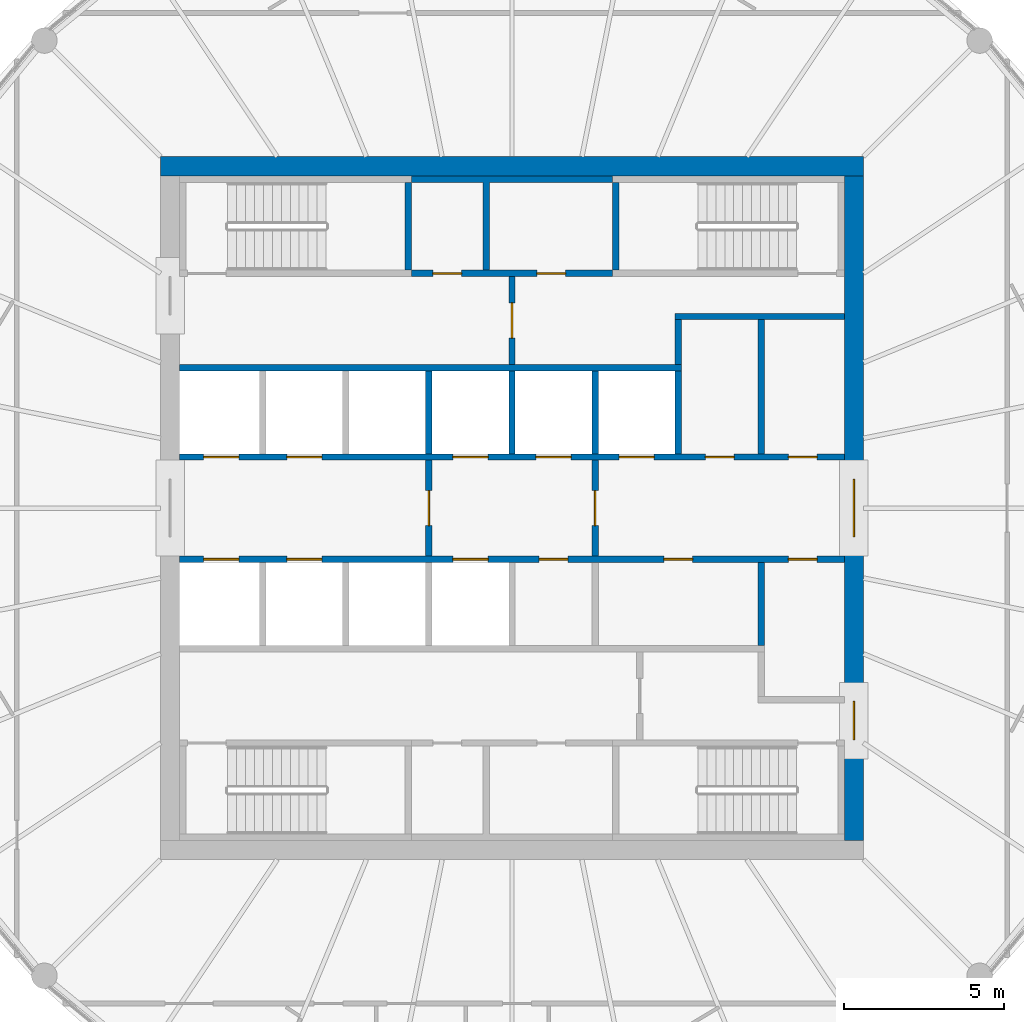
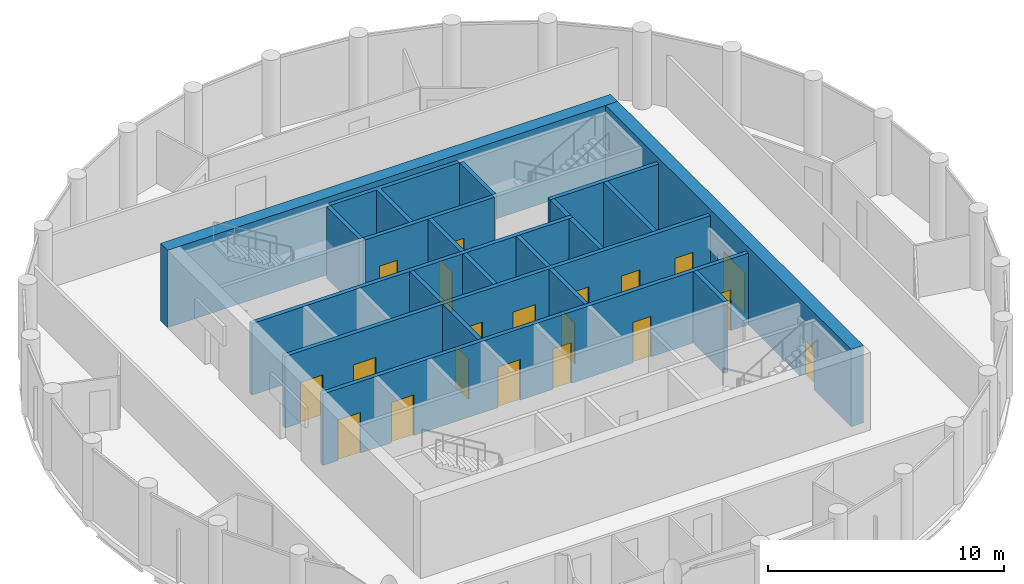
# One storey, part 5 of 7: 20 doors, 20 walls, 20 openings.
"""IFC4 building model written with IfcOpenShell, lengths in metres."""

import ifcopenshell
import ifcopenshell.guid

model = None  # the IFC model being written
_history = None  # IfcOwnerHistory: only IFC2X3 demands one
_inside = {}  # id of a spatial element -> (the spatial element, [elements in it])
_under = {}  # id of a project, library or spatial element -> (it, [spatial elements below it])
_declared = {}  # id of a project -> (the project, [libraries it declares])
_typed = {}  # id of a type object -> (the type object, [elements of that type])
_made_of = {}  # id of a material, layer set ... -> (it, [elements and type objects made of it])


def new_model(schema):
    """Start an empty IFC model of exactly this schema.

    Asked for "IFC4X3", IfcOpenShell would pick the latest addendum, in which some entities
    have other attributes; the version numbers below select the first issue.
    IFC2X3 requires an IfcOwnerHistory on every rooted entity: one is made here for all.
    """
    global model, _history
    if schema == "IFC4X3":
        model = ifcopenshell.file(schema_version=(4, 3, 0, 0))
    else:
        model = ifcopenshell.file(schema=schema)
    _inside.clear()
    _under.clear()
    _declared.clear()
    _typed.clear()
    _made_of.clear()
    _history = None
    if model.schema == "IFC2X3":
        org = make("IfcOrganization", Name="unknown")
        user = make(
            "IfcPersonAndOrganization",
            ThePerson=make("IfcPerson", FamilyName="unknown"),
            TheOrganization=org,
        )
        app = make(
            "IfcApplication",
            ApplicationDeveloper=org,
            Version="unknown",
            ApplicationFullName="unknown",
            ApplicationIdentifier="unknown",
        )
        _history = make(
            "IfcOwnerHistory",
            OwningUser=user,
            OwningApplication=app,
            ChangeAction="ADDED",
            CreationDate=0,
        )
    return model


def make(cls, **values):
    """One entity of the class cls with the attributes given. An attribute that is None is left unset."""
    return model.create_entity(
        cls, **{name: value for name, value in values.items() if value is not None}
    )


def rooted(cls, **values):
    """An entity with a GlobalId (a new one), such as an element, a storey or a relation."""
    return make(cls, GlobalId=ifcopenshell.guid.new(), OwnerHistory=_history, **values)


def si_unit(unit_type, name, prefix=None):
    """IfcSIUnit, for example si_unit("LENGTHUNIT", "METRE", prefix="MILLI")."""
    return make("IfcSIUnit", UnitType=unit_type, Prefix=prefix, Name=name)


def assignment(units):
    """IfcUnitAssignment: the units of a project."""
    return None if units is None else make("IfcUnitAssignment", Units=units)


def point(xyz):
    """IfcCartesianPoint."""
    return None if xyz is None else make("IfcCartesianPoint", Coordinates=xyz)


def direction(xyz):
    """IfcDirection."""
    return None if xyz is None else make("IfcDirection", DirectionRatios=xyz)


def frame(location, z_axis=None, x_axis=None):
    """IfcAxis2Placement3D, a coordinate frame: its origin and axes. An axis left out is left unset."""
    return make(
        "IfcAxis2Placement3D",
        Location=point(location),
        Axis=direction(z_axis),
        RefDirection=direction(x_axis),
    )


def frame_2d(location, x_axis=None):
    """IfcAxis2Placement2D, a coordinate frame in the plane: its origin and x axis."""
    return make(
        "IfcAxis2Placement2D", Location=point(location), RefDirection=direction(x_axis)
    )


def origin():
    """The frame at (0, 0, 0) with its axes left unset."""
    return frame((0.0, 0.0, 0.0))


def place(relative_to, where):
    """IfcLocalPlacement: puts the frame where relative to a parent placement (None: the world)."""
    return make(
        "IfcLocalPlacement", PlacementRelTo=relative_to, RelativePlacement=where
    )


def context(
    kind, dimensions, precision=None, world=None, true_north=None, identifier=None
):
    """IfcGeometricRepresentationContext, for example the 3D "Model" context."""
    return make(
        "IfcGeometricRepresentationContext",
        ContextIdentifier=identifier,
        ContextType=kind,
        CoordinateSpaceDimension=dimensions,
        Precision=precision,
        WorldCoordinateSystem=world,
        TrueNorth=true_north,
    )


def subcontext(parent, identifier, kind, view, scale=None):
    """IfcGeometricRepresentationSubContext, for example "Body" below "Model"."""
    return make(
        "IfcGeometricRepresentationSubContext",
        ContextIdentifier=identifier,
        ContextType=kind,
        ParentContext=parent,
        TargetScale=scale,
        TargetView=view,
    )


def project(units=None, contexts=None):
    """IfcProject with its units and contexts."""
    return rooted(
        "IfcProject",
        Name="project",
        RepresentationContexts=contexts,
        UnitsInContext=assignment(units),
    )


def spatial(cls, under=None, at=None, **own):
    """A site, building, storey or space (cls), placed at a placement, below another one or the project."""
    s = rooted(cls, ObjectPlacement=at, **own)
    if under is not None:
        _under.setdefault(under.id(), (under, []))[1].append(s)
    return s


def polyline(points):
    """IfcPolyline through the points."""
    return make("IfcPolyline", Points=[point(p) for p in points])


def profile(cls, at=None, kind="AREA", **sizes):
    """A parametric profile (cls). Its sizes go by their IFC names, for example OverallWidth=200.0."""
    return make(cls, ProfileType=kind, Position=at, **sizes)


def rectangle(**sizes):
    """IfcRectangleProfileDef."""
    return profile("IfcRectangleProfileDef", **sizes)


def outline(outer, holes=None, kind="AREA"):
    """IfcArbitraryClosedProfileDef: a profile drawn as a closed curve; with holes, ...WithVoids."""
    if holes is None:
        return make("IfcArbitraryClosedProfileDef", ProfileType=kind, OuterCurve=outer)
    return make(
        "IfcArbitraryProfileDefWithVoids",
        ProfileType=kind,
        OuterCurve=outer,
        InnerCurves=holes,
    )


def extrude(swept, where, along, depth):
    """IfcExtrudedAreaSolid: the profile swept, set in the frame where, extruded along a direction by depth."""
    return make(
        "IfcExtrudedAreaSolid",
        SweptArea=swept,
        Position=where,
        ExtrudedDirection=direction(along),
        Depth=depth,
    )


def shape(context_of_items, identifier, shape_type, items):
    """IfcShapeRepresentation: the items that make up one representation, for example the "Body"."""
    return make(
        "IfcShapeRepresentation",
        ContextOfItems=context_of_items,
        RepresentationIdentifier=identifier,
        RepresentationType=shape_type,
        Items=items,
    )


def material(Name=None, Category=None):
    """IfcMaterial."""
    return make("IfcMaterial", Name=Name, Category=Category)


def layer(
    of_material, thickness, ventilated=None, Name=None, Category=None, Priority=None
):
    """IfcMaterialLayer: one layer of a wall or slab, of a material (None: an air gap)."""
    return make(
        "IfcMaterialLayer",
        Material=of_material,
        LayerThickness=thickness,
        IsVentilated=ventilated,
        Name=Name,
        Category=Category,
        Priority=Priority,
    )


def layer_set(layers, Name=None):
    """IfcMaterialLayerSet."""
    return make("IfcMaterialLayerSet", MaterialLayers=layers, LayerSetName=Name)


def made_of(thing, what):
    """Note that an element or type object is made of a material, layer set ...; save() writes the relation."""
    if what is not None:
        _made_of.setdefault(what.id(), (what, []))[1].append(thing)
    return thing


def type_object(cls, material=None, **own):
    """A type object (cls), such as IfcWallType, which elements share."""
    return made_of(rooted(cls, **own), material)


def element(
    cls,
    number,
    at=None,
    inside=None,
    cuts=None,
    type_object=None,
    material=None,
    context=None,
    identifier="Body",
    shape_type=None,
    held_by="IfcProductDefinitionShape",
    body=None,
    shapes=None,
    **own,
):
    """One element of the class cls, such as IfcWall. Its Tag is "e" and its number.

    at: its placement. inside: the storey or other place that contains it. cuts: it is an
    opening in that element (IfcRelVoidsElement). A single representation is given by context,
    identifier, shape_type and body (its items); several are given by shapes. held_by: the class
    of the entity that holds the representations. save() writes the other relations.
    """
    e = rooted(cls, Tag="e%d" % number, ObjectPlacement=at, **own)
    if body is not None:
        shapes = [shape(context, identifier, shape_type, body)]
    if shapes is not None:
        e.Representation = make(held_by, Representations=shapes)
    if inside is not None:
        _inside.setdefault(inside.id(), (inside, []))[1].append(e)
    if cuts is not None:
        rooted(
            "IfcRelVoidsElement", RelatingBuildingElement=cuts, RelatedOpeningElement=e
        )
    if type_object is not None:
        _typed.setdefault(type_object.id(), (type_object, []))[1].append(e)
    return made_of(e, material)


def fill(opening, filler):
    """IfcRelFillsElement: the door or window that sits in an opening."""
    return rooted(
        "IfcRelFillsElement",
        RelatingOpeningElement=opening,
        RelatedBuildingElement=filler,
    )


def aggregate(whole, parts):
    """IfcRelAggregates: a whole, such as a stair, and the parts it consists of."""
    return rooted("IfcRelAggregates", RelatingObject=whole, RelatedObjects=parts)


def save(model, path):
    """Write the relations noted so far, then the file.

    IfcRelAggregates (storeys below a building ...), IfcRelContainedInSpatialStructure (elements
    in a storey), IfcRelDefinesByType, IfcRelAssociatesMaterial and IfcRelDeclares: one each for
    every whole, place, type object, material and project.
    """
    for whole, parts in _under.values():
        aggregate(whole, parts)
    for where, things in _inside.values():
        rooted(
            "IfcRelContainedInSpatialStructure",
            RelatedElements=things,
            RelatingStructure=where,
        )
    for kind, things in _typed.values():
        rooted("IfcRelDefinesByType", RelatedObjects=things, RelatingType=kind)
    for what, things in _made_of.values():
        rooted("IfcRelAssociatesMaterial", RelatedObjects=things, RelatingMaterial=what)
    for by, libraries in _declared.values():
        rooted("IfcRelDeclares", RelatingContext=by, RelatedDefinitions=libraries)
    model.write(path)


model = new_model("IFC4")

# Units and contexts
model_context = context("Model", 3, precision=1e-05, world=origin(), true_north=direction((0.0, 1.0)))
body_context = subcontext(model_context, "Body", "Model", "MODEL_VIEW")
ifc_project = project(units=[si_unit("LENGTHUNIT", "METRE"), si_unit("AREAUNIT", "SQUARE_METRE"), si_unit("VOLUMEUNIT", "CUBIC_METRE"), si_unit("PLANEANGLEUNIT", "RADIAN"), si_unit("MASSUNIT", "GRAM", prefix="KILO")], contexts=[model_context])

# Site, building, storey
site_placement = place(None, origin())
site = spatial("IfcSite", under=ifc_project, at=site_placement, CompositionType="ELEMENT")
building_placement = place(site_placement, origin())
building = spatial("IfcBuilding", under=site, at=building_placement, Name="Corvane Civic Tower", CompositionType="ELEMENT")
storey_placement = place(building_placement, frame((0.0, 0.0, 372.5)))
storey = spatial("IfcBuildingStorey", under=building, at=storey_placement, Name="L89", CompositionType="ELEMENT", Elevation=372.5)

# Wall
ifc_material_1 = material(Name="Concrete C40/50", Category="concrete")
ifc_layer_1 = layer(ifc_material_1, 0.60009765625)
ifc_layer_set_1 = layer_set([ifc_layer_1], Name="Concrete C40/50")
wall_type_1 = type_object("IfcWallType", Name="CORE WALL 600 C40/50", PredefinedType="SHEAR", material=ifc_layer_set_1)
wall_1_placement = place(storey_placement, frame((-11.0, 10.699951171875, 0.0), z_axis=(0.0, 0.0, 1.0), x_axis=(1.0, 0.0, 0.0)))
element("IfcWall", 1, at=wall_1_placement, inside=storey, type_object=wall_type_1, Name="W-L89-core-N", PredefinedType="SHEAR", context=body_context, shape_type="SweptSolid", body=[
    extrude(rectangle(XDim=22.0, YDim=0.60009765625, at=frame_2d((11.0, 0.0))), origin(), (0.0, 0.0, 1.0), 4.0),
])

# Wall, openings, doors
wall_2_placement = place(storey_placement, frame((10.699951171875, -10.39990234375, 0.0), z_axis=(0.0, 0.0, 1.0), x_axis=(0.0, 1.0, 0.0)))
wall_2 = element("IfcWall", 2, at=wall_2_placement, inside=storey, type_object=wall_type_1, Name="W-L89-core-E", PredefinedType="SHEAR", context=body_context, shape_type="SweptSolid", body=[
    extrude(rectangle(XDim=20.7998046875, YDim=0.60009765625, at=frame_2d((10.39990234375, 0.0))), origin(), (0.0, 0.0, 1.0), 4.0),
])
opening_1_placement = place(wall_2_placement, frame((9.5, 0.0, 0.0)))
opening_1 = element("IfcOpeningElement", 3, at=opening_1_placement, cuts=wall_2, Name="Opening L89.C19", PredefinedType="OPENING", context=body_context, shape_type="SweptSolid", body=[
    extrude(rectangle(XDim=1.800048828125, YDim=2.10009765625, at=frame_2d((0.89990234375, 1.050048828125))), frame((0.0, 0.31005859375, 0.0), z_axis=(0.0, -1.0, 0.0), x_axis=(1.0, 0.0, 0.0)), (0.0, 0.0, 1.0), 0.6201171875),
])
opening_2_placement = place(wall_2_placement, frame((3.14990234375, 0.0, 0.0)))
opening_2 = element("IfcOpeningElement", 4, at=opening_2_placement, cuts=wall_2, Name="Opening L89.C21", PredefinedType="OPENING", context=body_context, shape_type="SweptSolid", body=[
    extrude(rectangle(XDim=1.199951171875, YDim=2.10009765625, at=frame_2d((0.60009765625, 1.050048828125))), frame((0.0, 0.31005859375, 0.0), z_axis=(0.0, -1.0, 0.0), x_axis=(1.0, 0.0, 0.0)), (0.0, 0.0, 1.0), 0.6201171875),
])
ifc_material_2 = material(Name="Steel fire door leaf", Category="steel")
door_type_1 = type_object("IfcDoorType", Name="CR-DOOR-CORE-1800", OperationType="DOUBLE_DOOR_SINGLE_SWING", PredefinedType="DOOR", material=ifc_material_2)
door_1_placement = place(opening_1_placement, origin())
door_1 = element("IfcDoor", 5, at=door_1_placement, inside=storey, type_object=door_type_1, Name="L89 door", OperationType="DOUBLE_DOOR_SINGLE_SWING", OverallHeight=2.10009765625, OverallWidth=1.800048828125, PredefinedType="DOOR", context=body_context, shape_type="SweptSolid", body=[
    extrude(rectangle(XDim=1.800048828125, YDim=2.10009765625, at=frame_2d((0.89990234375, 1.050048828125))), frame((0.0, 0.02490234375, 0.0), z_axis=(0.0, -1.0, 0.0), x_axis=(1.0, 0.0, 0.0)), (0.0, 0.0, 1.0), 0.050048828125),
])
fill(opening_1, door_1)
door_2_placement = place(opening_2_placement, origin())
door_2 = element("IfcDoor", 6, at=door_2_placement, inside=storey, type_object=door_type_1, Name="L89 door", OperationType="DOUBLE_DOOR_SINGLE_SWING", OverallHeight=2.10009765625, OverallWidth=1.199951171875, PredefinedType="DOOR", context=body_context, shape_type="SweptSolid", body=[
    extrude(rectangle(XDim=1.199951171875, YDim=2.10009765625, at=frame_2d((0.60009765625, 1.050048828125))), frame((0.0, 0.02490234375, 0.0), z_axis=(0.0, -1.0, 0.0), x_axis=(1.0, 0.0, 0.0)), (0.0, 0.0, 1.0), 0.050048828125),
])
fill(opening_2, door_2)

ifc_material_3 = material(Name="Concrete C30/37", Category="concrete")
ifc_layer_2 = layer(ifc_material_3, 0.199951171875)
ifc_layer_set_2 = layer_set([ifc_layer_2], Name="Concrete C30/37")
wall_type_2 = type_object("IfcWallType", Name="CR-WALL-200", PredefinedType="PARTITIONING", material=ifc_layer_set_2)
wall_3_placement = place(storey_placement, frame((-10.39990234375, -1.60009765625, 0.0), z_axis=(0.0, 0.0, 1.0), x_axis=(1.0, 0.0, 0.0)))
wall_3 = element("IfcWall", 7, at=wall_3_placement, inside=storey, type_object=wall_type_2, Name="L89 lift shaft wall", PredefinedType="PARTITIONING", context=body_context, shape_type="SweptSolid", body=[
    extrude(rectangle(XDim=20.7998046875, YDim=0.199951171875, at=frame_2d((10.39990234375, 0.0))), origin(), (0.0, 0.0, 1.0), 3.699951171875),
])
opening_3_placement = place(wall_3_placement, frame((0.75, 0.0, 0.0)))
opening_3 = element("IfcOpeningElement", 8, at=opening_3_placement, cuts=wall_3, Name="Opening LD", PredefinedType="OPENING", context=body_context, shape_type="SweptSolid", body=[
    extrude(rectangle(XDim=1.10009765625, YDim=2.10009765625, at=frame_2d((0.550048828125, 1.050048828125))), frame((0.0, 0.10986328125, 0.0), z_axis=(0.0, -1.0, 0.0), x_axis=(1.0, 0.0, 0.0)), (0.0, 0.0, 1.0), 0.219970703125),
])
opening_4_placement = place(wall_3_placement, frame((3.35009765625, 0.0, 0.0)))
opening_4 = element("IfcOpeningElement", 9, at=opening_4_placement, cuts=wall_3, Name="Opening LD", PredefinedType="OPENING", context=body_context, shape_type="SweptSolid", body=[
    extrude(rectangle(XDim=1.10009765625, YDim=2.10009765625, at=frame_2d((0.550048828125, 1.050048828125))), frame((0.0, 0.10986328125, 0.0), z_axis=(0.0, -1.0, 0.0), x_axis=(1.0, 0.0, 0.0)), (0.0, 0.0, 1.0), 0.219970703125),
])
opening_5_placement = place(wall_3_placement, frame((8.550048828125, 0.0, 0.0)))
opening_5 = element("IfcOpeningElement", 10, at=opening_5_placement, cuts=wall_3, Name="Opening LD", PredefinedType="OPENING", context=body_context, shape_type="SweptSolid", body=[
    extrude(rectangle(XDim=1.10009765625, YDim=2.10009765625, at=frame_2d((0.550048828125, 1.050048828125))), frame((0.0, 0.10986328125, 0.0), z_axis=(0.0, -1.0, 0.0), x_axis=(1.0, 0.0, 0.0)), (0.0, 0.0, 1.0), 0.219970703125),
])
opening_6_placement = place(wall_3_placement, frame((11.25, 0.0, 0.0)))
opening_6 = element("IfcOpeningElement", 11, at=opening_6_placement, cuts=wall_3, Name="Opening L89.C03", PredefinedType="OPENING", context=body_context, shape_type="SweptSolid", body=[
    extrude(rectangle(XDim=0.89990234375, YDim=2.10009765625, at=frame_2d((0.449951171875, 1.050048828125))), frame((0.0, 0.10986328125, 0.0), z_axis=(0.0, -1.0, 0.0), x_axis=(1.0, 0.0, 0.0)), (0.0, 0.0, 1.0), 0.219970703125),
])
opening_7_placement = place(wall_3_placement, frame((15.14990234375, 0.0, 0.0)))
opening_7 = element("IfcOpeningElement", 12, at=opening_7_placement, cuts=wall_3, Name="Opening L89.C04", PredefinedType="OPENING", context=body_context, shape_type="SweptSolid", body=[
    extrude(rectangle(XDim=0.89990234375, YDim=2.10009765625, at=frame_2d((0.449951171875, 1.050048828125))), frame((0.0, 0.10986328125, 0.0), z_axis=(0.0, -1.0, 0.0), x_axis=(1.0, 0.0, 0.0)), (0.0, 0.0, 1.0), 0.219970703125),
])
opening_8_placement = place(wall_3_placement, frame((19.050048828125, 0.0, 0.0)))
opening_8 = element("IfcOpeningElement", 13, at=opening_8_placement, cuts=wall_3, Name="Opening L89.C05", PredefinedType="OPENING", context=body_context, shape_type="SweptSolid", body=[
    extrude(rectangle(XDim=0.89990234375, YDim=2.10009765625, at=frame_2d((0.449951171875, 1.050048828125))), frame((0.0, 0.10986328125, 0.0), z_axis=(0.0, -1.0, 0.0), x_axis=(1.0, 0.0, 0.0)), (0.0, 0.0, 1.0), 0.219970703125),
])
ifc_material_4 = material(Name="Steel fire door leaf", Category="steel")
door_type_2 = type_object("IfcDoorType", Name="CR-DOOR-900", OperationType="SINGLE_SWING_LEFT", PredefinedType="DOOR", material=ifc_material_4)
door_3_placement = place(opening_6_placement, origin())
door_3 = element("IfcDoor", 14, at=door_3_placement, inside=storey, type_object=door_type_2, Name="L89 door", OperationType="SINGLE_SWING_LEFT", OverallHeight=2.10009765625, OverallWidth=0.89990234375, PredefinedType="DOOR", context=body_context, shape_type="SweptSolid", body=[
    extrude(rectangle(XDim=0.89990234375, YDim=2.10009765625, at=frame_2d((0.449951171875, 1.050048828125))), frame((0.0, 0.02490234375, 0.0), z_axis=(0.0, -1.0, 0.0), x_axis=(1.0, 0.0, 0.0)), (0.0, 0.0, 1.0), 0.050048828125),
])
fill(opening_6, door_3)
door_4_placement = place(opening_7_placement, origin())
door_4 = element("IfcDoor", 15, at=door_4_placement, inside=storey, type_object=door_type_2, Name="L89 door", OperationType="SINGLE_SWING_LEFT", OverallHeight=2.10009765625, OverallWidth=0.89990234375, PredefinedType="DOOR", context=body_context, shape_type="SweptSolid", body=[
    extrude(rectangle(XDim=0.89990234375, YDim=2.10009765625, at=frame_2d((0.449951171875, 1.050048828125))), frame((0.0, 0.02490234375, 0.0), z_axis=(0.0, -1.0, 0.0), x_axis=(1.0, 0.0, 0.0)), (0.0, 0.0, 1.0), 0.050048828125),
])
fill(opening_7, door_4)
door_5_placement = place(opening_8_placement, origin())
door_5 = element("IfcDoor", 16, at=door_5_placement, inside=storey, type_object=door_type_2, Name="L89 door", OperationType="SINGLE_SWING_LEFT", OverallHeight=2.10009765625, OverallWidth=0.89990234375, PredefinedType="DOOR", context=body_context, shape_type="SweptSolid", body=[
    extrude(rectangle(XDim=0.89990234375, YDim=2.10009765625, at=frame_2d((0.449951171875, 1.050048828125))), frame((0.0, 0.02490234375, 0.0), z_axis=(0.0, -1.0, 0.0), x_axis=(1.0, 0.0, 0.0)), (0.0, 0.0, 1.0), 0.050048828125),
])
fill(opening_8, door_5)
ifc_material_5 = material(Name="Stainless steel 316 door leaves", Category="steel")
door_type_3 = type_object("IfcDoorType", Name="LD", OperationType="DOUBLE_DOOR_SLIDING", PredefinedType="DOOR", material=ifc_material_5)
door_6_placement = place(opening_3_placement, origin())
door_6 = element("IfcDoor", 17, at=door_6_placement, inside=storey, type_object=door_type_3, Name="L89 landing door", OperationType="DOUBLE_DOOR_SLIDING", OverallHeight=2.10009765625, OverallWidth=1.10009765625, PredefinedType="DOOR", context=body_context, shape_type="SweptSolid", body=[
    extrude(rectangle(XDim=1.10009765625, YDim=2.10009765625, at=frame_2d((0.550048828125, 1.050048828125))), frame((0.0, 0.02490234375, 0.0), z_axis=(0.0, -1.0, 0.0), x_axis=(1.0, 0.0, 0.0)), (0.0, 0.0, 1.0), 0.050048828125),
])
fill(opening_3, door_6)
door_7_placement = place(opening_4_placement, origin())
door_7 = element("IfcDoor", 18, at=door_7_placement, inside=storey, type_object=door_type_3, Name="L89 landing door", OperationType="DOUBLE_DOOR_SLIDING", OverallHeight=2.10009765625, OverallWidth=1.10009765625, PredefinedType="DOOR", context=body_context, shape_type="SweptSolid", body=[
    extrude(rectangle(XDim=1.10009765625, YDim=2.10009765625, at=frame_2d((0.550048828125, 1.050048828125))), frame((0.0, 0.02490234375, 0.0), z_axis=(0.0, -1.0, 0.0), x_axis=(1.0, 0.0, 0.0)), (0.0, 0.0, 1.0), 0.050048828125),
])
fill(opening_4, door_7)
door_8_placement = place(opening_5_placement, origin())
door_8 = element("IfcDoor", 19, at=door_8_placement, inside=storey, type_object=door_type_3, Name="L89 landing door", OperationType="DOUBLE_DOOR_SLIDING", OverallHeight=2.10009765625, OverallWidth=1.10009765625, PredefinedType="DOOR", context=body_context, shape_type="SweptSolid", body=[
    extrude(rectangle(XDim=1.10009765625, YDim=2.10009765625, at=frame_2d((0.550048828125, 1.050048828125))), frame((0.0, 0.02490234375, 0.0), z_axis=(0.0, -1.0, 0.0), x_axis=(1.0, 0.0, 0.0)), (0.0, 0.0, 1.0), 0.050048828125),
])
fill(opening_5, door_8)

wall_4_placement = place(storey_placement, frame((-10.39990234375, 1.60009765625, 0.0), z_axis=(0.0, 0.0, 1.0), x_axis=(1.0, 0.0, 0.0)))
wall_4 = element("IfcWall", 20, at=wall_4_placement, inside=storey, type_object=wall_type_2, Name="L89 lift shaft wall", PredefinedType="PARTITIONING", context=body_context, shape_type="SweptSolid", body=[
    extrude(rectangle(XDim=20.7998046875, YDim=0.199951171875, at=frame_2d((10.39990234375, 0.0))), origin(), (0.0, 0.0, 1.0), 3.699951171875),
])
opening_9_placement = place(wall_4_placement, frame((0.75, 0.0, 0.0)))
opening_9 = element("IfcOpeningElement", 21, at=opening_9_placement, cuts=wall_4, Name="Opening LD", PredefinedType="OPENING", context=body_context, shape_type="SweptSolid", body=[
    extrude(rectangle(XDim=1.10009765625, YDim=2.10009765625, at=frame_2d((0.550048828125, 1.050048828125))), frame((0.0, 0.10986328125, 0.0), z_axis=(0.0, -1.0, 0.0), x_axis=(1.0, 0.0, 0.0)), (0.0, 0.0, 1.0), 0.219970703125),
])
opening_10_placement = place(wall_4_placement, frame((3.35009765625, 0.0, 0.0)))
opening_10 = element("IfcOpeningElement", 22, at=opening_10_placement, cuts=wall_4, Name="Opening LD", PredefinedType="OPENING", context=body_context, shape_type="SweptSolid", body=[
    extrude(rectangle(XDim=1.10009765625, YDim=2.10009765625, at=frame_2d((0.550048828125, 1.050048828125))), frame((0.0, 0.10986328125, 0.0), z_axis=(0.0, -1.0, 0.0), x_axis=(1.0, 0.0, 0.0)), (0.0, 0.0, 1.0), 0.219970703125),
])
opening_11_placement = place(wall_4_placement, frame((8.550048828125, 0.0, 0.0)))
opening_11 = element("IfcOpeningElement", 23, at=opening_11_placement, cuts=wall_4, Name="Opening LD", PredefinedType="OPENING", context=body_context, shape_type="SweptSolid", body=[
    extrude(rectangle(XDim=1.10009765625, YDim=2.10009765625, at=frame_2d((0.550048828125, 1.050048828125))), frame((0.0, 0.10986328125, 0.0), z_axis=(0.0, -1.0, 0.0), x_axis=(1.0, 0.0, 0.0)), (0.0, 0.0, 1.0), 0.219970703125),
])
opening_12_placement = place(wall_4_placement, frame((11.14990234375, 0.0, 0.0)))
opening_12 = element("IfcOpeningElement", 24, at=opening_12_placement, cuts=wall_4, Name="Opening LD", PredefinedType="OPENING", context=body_context, shape_type="SweptSolid", body=[
    extrude(rectangle(XDim=1.10009765625, YDim=2.10009765625, at=frame_2d((0.550048828125, 1.050048828125))), frame((0.0, 0.10986328125, 0.0), z_axis=(0.0, -1.0, 0.0), x_axis=(1.0, 0.0, 0.0)), (0.0, 0.0, 1.0), 0.219970703125),
])
opening_13_placement = place(wall_4_placement, frame((13.75, 0.0, 0.0)))
opening_13 = element("IfcOpeningElement", 25, at=opening_13_placement, cuts=wall_4, Name="Opening LD", PredefinedType="OPENING", context=body_context, shape_type="SweptSolid", body=[
    extrude(rectangle(XDim=1.10009765625, YDim=2.10009765625, at=frame_2d((0.550048828125, 1.050048828125))), frame((0.0, 0.10986328125, 0.0), z_axis=(0.0, -1.0, 0.0), x_axis=(1.0, 0.0, 0.0)), (0.0, 0.0, 1.0), 0.219970703125),
])
opening_14_placement = place(wall_4_placement, frame((16.449951171875, 0.0, 0.0)))
opening_14 = element("IfcOpeningElement", 26, at=opening_14_placement, cuts=wall_4, Name="Opening L89.C01", PredefinedType="OPENING", context=body_context, shape_type="SweptSolid", body=[
    extrude(rectangle(XDim=0.89990234375, YDim=2.10009765625, at=frame_2d((0.449951171875, 1.050048828125))), frame((0.0, 0.10986328125, 0.0), z_axis=(0.0, -1.0, 0.0), x_axis=(1.0, 0.0, 0.0)), (0.0, 0.0, 1.0), 0.219970703125),
])
opening_15_placement = place(wall_4_placement, frame((19.050048828125, 0.0, 0.0)))
opening_15 = element("IfcOpeningElement", 27, at=opening_15_placement, cuts=wall_4, Name="Opening L89.C02", PredefinedType="OPENING", context=body_context, shape_type="SweptSolid", body=[
    extrude(rectangle(XDim=0.89990234375, YDim=2.10009765625, at=frame_2d((0.449951171875, 1.050048828125))), frame((0.0, 0.10986328125, 0.0), z_axis=(0.0, -1.0, 0.0), x_axis=(1.0, 0.0, 0.0)), (0.0, 0.0, 1.0), 0.219970703125),
])
door_9_placement = place(opening_14_placement, origin())
door_9 = element("IfcDoor", 28, at=door_9_placement, inside=storey, type_object=door_type_2, Name="L89 door", OperationType="SINGLE_SWING_LEFT", OverallHeight=2.10009765625, OverallWidth=0.89990234375, PredefinedType="DOOR", context=body_context, shape_type="SweptSolid", body=[
    extrude(rectangle(XDim=0.89990234375, YDim=2.10009765625, at=frame_2d((0.449951171875, 1.050048828125))), frame((0.0, 0.02490234375, 0.0), z_axis=(0.0, -1.0, 0.0), x_axis=(1.0, 0.0, 0.0)), (0.0, 0.0, 1.0), 0.050048828125),
])
fill(opening_14, door_9)
door_10_placement = place(opening_15_placement, origin())
door_10 = element("IfcDoor", 29, at=door_10_placement, inside=storey, type_object=door_type_2, Name="L89 door", OperationType="SINGLE_SWING_LEFT", OverallHeight=2.10009765625, OverallWidth=0.89990234375, PredefinedType="DOOR", context=body_context, shape_type="SweptSolid", body=[
    extrude(rectangle(XDim=0.89990234375, YDim=2.10009765625, at=frame_2d((0.449951171875, 1.050048828125))), frame((0.0, 0.02490234375, 0.0), z_axis=(0.0, -1.0, 0.0), x_axis=(1.0, 0.0, 0.0)), (0.0, 0.0, 1.0), 0.050048828125),
])
fill(opening_15, door_10)
door_11_placement = place(opening_9_placement, origin())
door_11 = element("IfcDoor", 30, at=door_11_placement, inside=storey, type_object=door_type_3, Name="L89 landing door", OperationType="DOUBLE_DOOR_SLIDING", OverallHeight=2.10009765625, OverallWidth=1.10009765625, PredefinedType="DOOR", context=body_context, shape_type="SweptSolid", body=[
    extrude(rectangle(XDim=1.10009765625, YDim=2.10009765625, at=frame_2d((0.550048828125, 1.050048828125))), frame((0.0, 0.02490234375, 0.0), z_axis=(0.0, -1.0, 0.0), x_axis=(1.0, 0.0, 0.0)), (0.0, 0.0, 1.0), 0.050048828125),
])
fill(opening_9, door_11)
door_12_placement = place(opening_10_placement, origin())
door_12 = element("IfcDoor", 31, at=door_12_placement, inside=storey, type_object=door_type_3, Name="L89 landing door", OperationType="DOUBLE_DOOR_SLIDING", OverallHeight=2.10009765625, OverallWidth=1.10009765625, PredefinedType="DOOR", context=body_context, shape_type="SweptSolid", body=[
    extrude(rectangle(XDim=1.10009765625, YDim=2.10009765625, at=frame_2d((0.550048828125, 1.050048828125))), frame((0.0, 0.02490234375, 0.0), z_axis=(0.0, -1.0, 0.0), x_axis=(1.0, 0.0, 0.0)), (0.0, 0.0, 1.0), 0.050048828125),
])
fill(opening_10, door_12)
door_13_placement = place(opening_11_placement, origin())
door_13 = element("IfcDoor", 32, at=door_13_placement, inside=storey, type_object=door_type_3, Name="L89 landing door", OperationType="DOUBLE_DOOR_SLIDING", OverallHeight=2.10009765625, OverallWidth=1.10009765625, PredefinedType="DOOR", context=body_context, shape_type="SweptSolid", body=[
    extrude(rectangle(XDim=1.10009765625, YDim=2.10009765625, at=frame_2d((0.550048828125, 1.050048828125))), frame((0.0, 0.02490234375, 0.0), z_axis=(0.0, -1.0, 0.0), x_axis=(1.0, 0.0, 0.0)), (0.0, 0.0, 1.0), 0.050048828125),
])
fill(opening_11, door_13)
door_14_placement = place(opening_12_placement, origin())
door_14 = element("IfcDoor", 33, at=door_14_placement, inside=storey, type_object=door_type_3, Name="L89 landing door", OperationType="DOUBLE_DOOR_SLIDING", OverallHeight=2.10009765625, OverallWidth=1.10009765625, PredefinedType="DOOR", context=body_context, shape_type="SweptSolid", body=[
    extrude(rectangle(XDim=1.10009765625, YDim=2.10009765625, at=frame_2d((0.550048828125, 1.050048828125))), frame((0.0, 0.02490234375, 0.0), z_axis=(0.0, -1.0, 0.0), x_axis=(1.0, 0.0, 0.0)), (0.0, 0.0, 1.0), 0.050048828125),
])
fill(opening_12, door_14)
door_15_placement = place(opening_13_placement, origin())
door_15 = element("IfcDoor", 34, at=door_15_placement, inside=storey, type_object=door_type_3, Name="L89 landing door", OperationType="DOUBLE_DOOR_SLIDING", OverallHeight=2.10009765625, OverallWidth=1.10009765625, PredefinedType="DOOR", context=body_context, shape_type="SweptSolid", body=[
    extrude(rectangle(XDim=1.10009765625, YDim=2.10009765625, at=frame_2d((0.550048828125, 1.050048828125))), frame((0.0, 0.02490234375, 0.0), z_axis=(0.0, -1.0, 0.0), x_axis=(1.0, 0.0, 0.0)), (0.0, 0.0, 1.0), 0.050048828125),
])
fill(opening_13, door_15)

wall_5_placement = place(storey_placement, frame((-3.14990234375, 7.35009765625, 0.0), z_axis=(0.0, 0.0, 1.0), x_axis=(1.0, 0.0, 0.0)))
wall_5 = element("IfcWall", 35, at=wall_5_placement, inside=storey, type_object=wall_type_2, Name="L89 partition wall", PredefinedType="PARTITIONING", context=body_context, shape_type="SweptSolid", body=[
    extrude(rectangle(XDim=6.2998046875, YDim=0.199951171875, at=frame_2d((3.14990234375, 0.0))), origin(), (0.0, 0.0, 1.0), 3.699951171875),
])
opening_16_placement = place(wall_5_placement, frame((0.675048828125, 0.0, 0.0)))
opening_16 = element("IfcOpeningElement", 36, at=opening_16_placement, cuts=wall_5, Name="Opening L89.C06", PredefinedType="OPENING", context=body_context, shape_type="SweptSolid", body=[
    extrude(rectangle(XDim=0.89990234375, YDim=2.10009765625, at=frame_2d((0.449951171875, 1.050048828125))), frame((0.0, 0.10986328125, 0.0), z_axis=(0.0, -1.0, 0.0), x_axis=(1.0, 0.0, 0.0)), (0.0, 0.0, 1.0), 0.219970703125),
])
opening_17_placement = place(wall_5_placement, frame((3.925048828125, 0.0, 0.0)))
opening_17 = element("IfcOpeningElement", 37, at=opening_17_placement, cuts=wall_5, Name="Opening L89.C07", PredefinedType="OPENING", context=body_context, shape_type="SweptSolid", body=[
    extrude(rectangle(XDim=0.89990234375, YDim=2.10009765625, at=frame_2d((0.449951171875, 1.050048828125))), frame((0.0, 0.10986328125, 0.0), z_axis=(0.0, -1.0, 0.0), x_axis=(1.0, 0.0, 0.0)), (0.0, 0.0, 1.0), 0.219970703125),
])
door_16_placement = place(opening_16_placement, origin())
door_16 = element("IfcDoor", 38, at=door_16_placement, inside=storey, type_object=door_type_2, Name="L89 door", OperationType="SINGLE_SWING_LEFT", OverallHeight=2.10009765625, OverallWidth=0.89990234375, PredefinedType="DOOR", context=body_context, shape_type="SweptSolid", body=[
    extrude(rectangle(XDim=0.89990234375, YDim=2.10009765625, at=frame_2d((0.449951171875, 1.050048828125))), frame((0.0, 0.02490234375, 0.0), z_axis=(0.0, -1.0, 0.0), x_axis=(1.0, 0.0, 0.0)), (0.0, 0.0, 1.0), 0.050048828125),
])
fill(opening_16, door_16)
door_17_placement = place(opening_17_placement, origin())
door_17 = element("IfcDoor", 39, at=door_17_placement, inside=storey, type_object=door_type_2, Name="L89 door", OperationType="SINGLE_SWING_LEFT", OverallHeight=2.10009765625, OverallWidth=0.89990234375, PredefinedType="DOOR", context=body_context, shape_type="SweptSolid", body=[
    extrude(rectangle(XDim=0.89990234375, YDim=2.10009765625, at=frame_2d((0.449951171875, 1.050048828125))), frame((0.0, 0.02490234375, 0.0), z_axis=(0.0, -1.0, 0.0), x_axis=(1.0, 0.0, 0.0)), (0.0, 0.0, 1.0), 0.050048828125),
])
fill(opening_17, door_17)

# Wall, opening, door
wall_6_placement = place(storey_placement, frame((-2.60009765625, -1.5, 0.0), z_axis=(0.0, 0.0, 1.0), x_axis=(0.0, 1.0, 0.0)))
wall_6 = element("IfcWall", 40, at=wall_6_placement, inside=storey, type_object=wall_type_2, Name="L89 firefighting lobby wall", PredefinedType="PARTITIONING", context=body_context, shape_type="SweptSolid", body=[
    extrude(rectangle(XDim=3.0, YDim=0.199951171875, at=frame_2d((1.5, 0.0))), origin(), (0.0, 0.0, 1.0), 3.699951171875),
])
opening_18_placement = place(wall_6_placement, frame((0.949951171875, 0.0, 0.0)))
opening_18 = element("IfcOpeningElement", 41, at=opening_18_placement, cuts=wall_6, Name="Opening L89.C14", PredefinedType="OPENING", context=body_context, shape_type="SweptSolid", body=[
    extrude(rectangle(XDim=1.10009765625, YDim=2.10009765625, at=frame_2d((0.550048828125, 1.050048828125))), frame((0.0, 0.10986328125, 0.0), z_axis=(0.0, -1.0, 0.0), x_axis=(1.0, 0.0, 0.0)), (0.0, 0.0, 1.0), 0.219970703125),
])
ifc_material_6 = material(Name="Steel fire door leaf", Category="steel")
door_type_4 = type_object("IfcDoorType", Name="CR-DOOR-FFL-1100", OperationType="SINGLE_SWING_LEFT", PredefinedType="DOOR", material=ifc_material_6)
door_18_placement = place(opening_18_placement, origin())
door_18 = element("IfcDoor", 42, at=door_18_placement, inside=storey, type_object=door_type_4, Name="L89 lobby door", OperationType="SINGLE_SWING_LEFT", OverallHeight=2.10009765625, OverallWidth=1.10009765625, PredefinedType="DOOR", context=body_context, shape_type="SweptSolid", body=[
    extrude(rectangle(XDim=1.10009765625, YDim=2.10009765625, at=frame_2d((0.550048828125, 1.050048828125))), frame((0.0, 0.02490234375, 0.0), z_axis=(0.0, -1.0, 0.0), x_axis=(1.0, 0.0, 0.0)), (0.0, 0.0, 1.0), 0.050048828125),
])
fill(opening_18, door_18)

wall_7_placement = place(storey_placement, frame((0.0, 4.5, 0.0), z_axis=(0.0, 0.0, 1.0), x_axis=(0.0, 1.0, 0.0)))
wall_7 = element("IfcWall", 43, at=wall_7_placement, inside=storey, type_object=wall_type_2, Name="L89 core partition wall", PredefinedType="PARTITIONING", context=body_context, shape_type="SweptSolid", body=[
    extrude(rectangle(XDim=2.75, YDim=0.199951171875, at=frame_2d((1.375, 0.0))), origin(), (0.0, 0.0, 1.0), 3.699951171875),
])
opening_19_placement = place(wall_7_placement, frame((0.824951171875, 0.0, 0.0)))
opening_19 = element("IfcOpeningElement", 44, at=opening_19_placement, cuts=wall_7, Name="Opening L89.C16", PredefinedType="OPENING", context=body_context, shape_type="SweptSolid", body=[
    extrude(rectangle(XDim=1.10009765625, YDim=2.10009765625, at=frame_2d((0.550048828125, 1.050048828125))), frame((0.0, 0.10986328125, 0.0), z_axis=(0.0, -1.0, 0.0), x_axis=(1.0, 0.0, 0.0)), (0.0, 0.0, 1.0), 0.219970703125),
])
door_19_placement = place(opening_19_placement, origin())
door_19 = element("IfcDoor", 45, at=door_19_placement, inside=storey, type_object=door_type_4, Name="L89 lobby door", OperationType="SINGLE_SWING_LEFT", OverallHeight=2.10009765625, OverallWidth=1.10009765625, PredefinedType="DOOR", context=body_context, shape_type="SweptSolid", body=[
    extrude(rectangle(XDim=1.10009765625, YDim=2.10009765625, at=frame_2d((0.550048828125, 1.050048828125))), frame((0.0, 0.02490234375, 0.0), z_axis=(0.0, -1.0, 0.0), x_axis=(1.0, 0.0, 0.0)), (0.0, 0.0, 1.0), 0.050048828125),
])
fill(opening_19, door_19)

wall_8_placement = place(storey_placement, frame((2.60009765625, -1.5, 0.0), z_axis=(0.0, 0.0, 1.0), x_axis=(0.0, 1.0, 0.0)))
wall_8 = element("IfcWall", 46, at=wall_8_placement, inside=storey, type_object=wall_type_2, Name="L89 firefighting lobby wall", PredefinedType="PARTITIONING", context=body_context, shape_type="SweptSolid", body=[
    extrude(rectangle(XDim=3.0, YDim=0.199951171875, at=frame_2d((1.5, 0.0))), origin(), (0.0, 0.0, 1.0), 3.699951171875),
])
opening_20_placement = place(wall_8_placement, frame((0.949951171875, 0.0, 0.0)))
opening_20 = element("IfcOpeningElement", 47, at=opening_20_placement, cuts=wall_8, Name="Opening L89.C15", PredefinedType="OPENING", context=body_context, shape_type="SweptSolid", body=[
    extrude(rectangle(XDim=1.10009765625, YDim=2.10009765625, at=frame_2d((0.550048828125, 1.050048828125))), frame((0.0, 0.10986328125, 0.0), z_axis=(0.0, -1.0, 0.0), x_axis=(1.0, 0.0, 0.0)), (0.0, 0.0, 1.0), 0.219970703125),
])
door_20_placement = place(opening_20_placement, origin())
door_20 = element("IfcDoor", 48, at=door_20_placement, inside=storey, type_object=door_type_4, Name="L89 lobby door", OperationType="SINGLE_SWING_LEFT", OverallHeight=2.10009765625, OverallWidth=1.10009765625, PredefinedType="DOOR", context=body_context, shape_type="SweptSolid", body=[
    extrude(rectangle(XDim=1.10009765625, YDim=2.10009765625, at=frame_2d((0.550048828125, 1.050048828125))), frame((0.0, 0.02490234375, 0.0), z_axis=(0.0, -1.0, 0.0), x_axis=(1.0, 0.0, 0.0)), (0.0, 0.0, 1.0), 0.050048828125),
])
fill(opening_20, door_20)

# Walls
wall_9_placement = place(storey_placement, origin())
element("IfcWall", 49, at=wall_9_placement, inside=storey, type_object=wall_type_2, Name="L89 core partition wall", PredefinedType="PARTITIONING", context=body_context, shape_type="SweptSolid", body=[
    extrude(outline(polyline([(7.89990234375, -1.699951171875), (7.89990234375, -4.2998046875), (7.699951171875, -4.2998046875), (7.699951171875, -1.699951171875), (7.89990234375, -1.699951171875)])), origin(), (0.0, 0.0, 1.0), 3.699951171875),
])
wall_10_placement = place(storey_placement, origin())
element("IfcWall", 50, at=wall_10_placement, inside=storey, type_object=wall_type_2, Name="L89 core partition wall", PredefinedType="PARTITIONING", context=body_context, shape_type="SweptSolid", body=[
    extrude(outline(polyline([(5.300048828125, 4.5), (5.300048828125, 4.300048828125), (-10.39990234375, 4.300048828125), (-10.39990234375, 4.5), (5.300048828125, 4.5)])), origin(), (0.0, 0.0, 1.0), 3.699951171875),
])
wall_11_placement = place(storey_placement, origin())
element("IfcWall", 51, at=wall_11_placement, inside=storey, type_object=wall_type_2, Name="L89 core partition wall", PredefinedType="PARTITIONING", context=body_context, shape_type="SweptSolid", body=[
    extrude(outline(polyline([(10.39990234375, 5.89990234375), (5.10009765625, 5.89990234375), (5.10009765625, 6.10009765625), (10.39990234375, 6.10009765625), (10.39990234375, 5.89990234375)])), origin(), (0.0, 0.0, 1.0), 3.699951171875),
])
wall_12_placement = place(storey_placement, origin())
element("IfcWall", 52, at=wall_12_placement, inside=storey, type_object=wall_type_2, Name="L89 core partition wall", PredefinedType="PARTITIONING", context=body_context, shape_type="SweptSolid", body=[
    extrude(outline(polyline([(7.89990234375, 1.699951171875), (7.699951171875, 1.699951171875), (7.699951171875, 5.89990234375), (7.89990234375, 5.89990234375), (7.89990234375, 1.699951171875)])), origin(), (0.0, 0.0, 1.0), 3.699951171875),
])
wall_13_placement = place(storey_placement, origin())
element("IfcWall", 53, at=wall_13_placement, inside=storey, type_object=wall_type_2, Name="L89 core partition wall", PredefinedType="PARTITIONING", context=body_context, shape_type="SweptSolid", body=[
    extrude(outline(polyline([(-2.5, 1.699951171875), (-2.699951171875, 1.699951171875), (-2.699951171875, 4.2998046875), (-2.5, 4.2998046875), (-2.5, 1.699951171875)])), origin(), (0.0, 0.0, 1.0), 3.699951171875),
])
wall_14_placement = place(storey_placement, origin())
element("IfcWall", 54, at=wall_14_placement, inside=storey, type_object=wall_type_2, Name="L89 core partition wall", PredefinedType="PARTITIONING", context=body_context, shape_type="SweptSolid", body=[
    extrude(outline(polyline([(2.699951171875, 1.699951171875), (2.5, 1.699951171875), (2.5, 4.2998046875), (2.699951171875, 4.2998046875), (2.699951171875, 1.699951171875)])), origin(), (0.0, 0.0, 1.0), 3.699951171875),
])
wall_15_placement = place(storey_placement, origin())
element("IfcWall", 55, at=wall_15_placement, inside=storey, type_object=wall_type_2, Name="L89 core partition wall", PredefinedType="PARTITIONING", context=body_context, shape_type="SweptSolid", body=[
    extrude(outline(polyline([(0.10009765625, 1.699951171875), (-0.10009765625, 1.699951171875), (-0.10009765625, 4.2998046875), (0.10009765625, 4.2998046875), (0.10009765625, 1.699951171875)])), origin(), (0.0, 0.0, 1.0), 3.699951171875),
])
wall_16_placement = place(storey_placement, origin())
element("IfcWall", 56, at=wall_16_placement, inside=storey, type_object=wall_type_2, Name="L89 core partition wall", PredefinedType="PARTITIONING", context=body_context, shape_type="SweptSolid", body=[
    extrude(outline(polyline([(5.300048828125, 1.699951171875), (5.10009765625, 1.699951171875), (5.10009765625, 4.2998046875), (5.300048828125, 4.2998046875), (5.300048828125, 1.699951171875)])), origin(), (0.0, 0.0, 1.0), 3.699951171875),
])
wall_17_placement = place(storey_placement, origin())
element("IfcWall", 57, at=wall_17_placement, inside=storey, type_object=wall_type_2, Name="L89 core partition wall", PredefinedType="PARTITIONING", context=body_context, shape_type="SweptSolid", body=[
    extrude(outline(polyline([(5.300048828125, 4.5), (5.10009765625, 4.5), (5.10009765625, 5.89990234375), (5.300048828125, 5.89990234375), (5.300048828125, 4.5)])), origin(), (0.0, 0.0, 1.0), 3.699951171875),
])
wall_18_placement = place(storey_placement, origin())
element("IfcWall", 58, at=wall_18_placement, inside=storey, type_object=wall_type_2, Name="L89 core partition wall", PredefinedType="PARTITIONING", context=body_context, shape_type="SweptSolid", body=[
    extrude(outline(polyline([(-0.699951171875, 7.449951171875), (-0.89990234375, 7.449951171875), (-0.89990234375, 10.199951171875), (-3.14990234375, 10.199951171875), (-3.14990234375, 10.39990234375), (3.14990234375, 10.39990234375), (3.14990234375, 10.199951171875), (-0.699951171875, 10.199951171875), (-0.699951171875, 7.449951171875)])), origin(), (0.0, 0.0, 1.0), 3.699951171875),
])
ifc_material_7 = material(Name="Concrete C50/60", Category="concrete")
ifc_layer_3 = layer(ifc_material_7, 0.199951171875)
ifc_layer_set_3 = layer_set([ifc_layer_3], Name="Concrete C50/60")
wall_type_3 = type_object("IfcWallType", Name="ST-WALL-200", PredefinedType="SHEAR", material=ifc_layer_set_3)
wall_19_placement = place(storey_placement, origin())
element("IfcWall", 59, at=wall_19_placement, inside=storey, type_object=wall_type_3, Name="L89 stair enclosure wall", PredefinedType="SHEAR", context=body_context, shape_type="SweptSolid", body=[
    extrude(outline(polyline([(-3.14990234375, 7.449951171875), (-3.35009765625, 7.449951171875), (-3.35009765625, 10.199951171875), (-3.14990234375, 10.199951171875), (-3.14990234375, 7.449951171875)])), origin(), (0.0, 0.0, 1.0), 3.699951171875),
])
wall_20_placement = place(storey_placement, origin())
element("IfcWall", 60, at=wall_20_placement, inside=storey, type_object=wall_type_3, Name="L89 stair enclosure wall", PredefinedType="SHEAR", context=body_context, shape_type="SweptSolid", body=[
    extrude(outline(polyline([(3.35009765625, 7.449951171875), (3.14990234375, 7.449951171875), (3.14990234375, 10.199951171875), (3.35009765625, 10.199951171875), (3.35009765625, 7.449951171875)])), origin(), (0.0, 0.0, 1.0), 3.699951171875),
])

save(model, "model.ifc")
